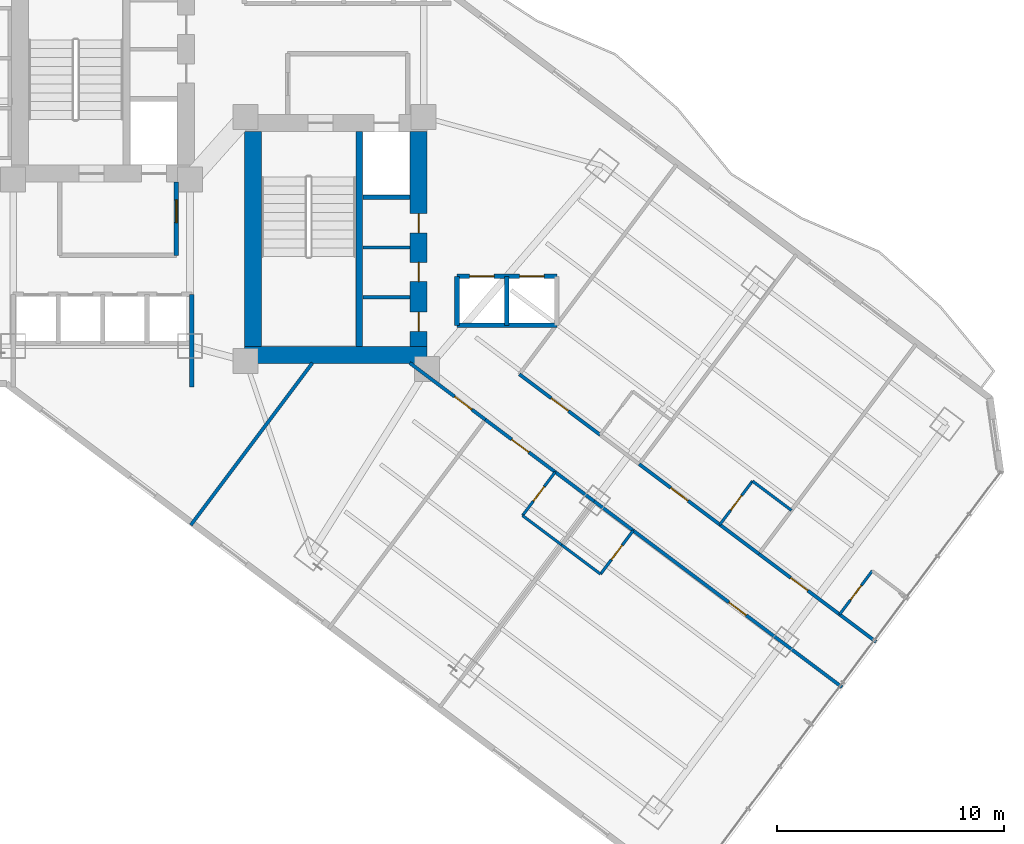
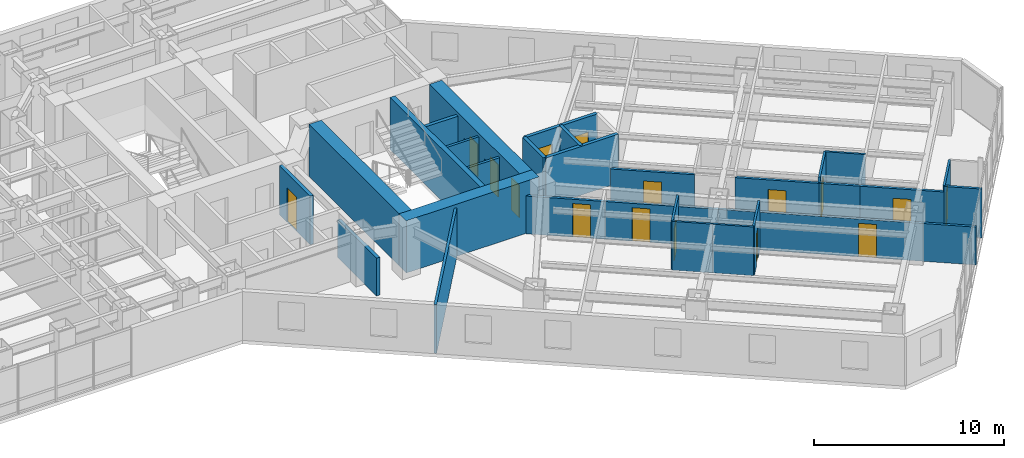
# One storey, part 24 of 37: 31 walls, 16 doors, 16 openings.
"""IFC4 building model written with IfcOpenShell, lengths in metres."""

import ifcopenshell
import ifcopenshell.guid

model = None  # the IFC model being written
_history = None  # IfcOwnerHistory: only IFC2X3 demands one
_inside = {}  # id of a spatial element -> (the spatial element, [elements in it])
_under = {}  # id of a project, library or spatial element -> (it, [spatial elements below it])
_declared = {}  # id of a project -> (the project, [libraries it declares])
_typed = {}  # id of a type object -> (the type object, [elements of that type])
_made_of = {}  # id of a material, layer set ... -> (it, [elements and type objects made of it])


def new_model(schema):
    """Start an empty IFC model of exactly this schema.

    Asked for "IFC4X3", IfcOpenShell would pick the latest addendum, in which some entities
    have other attributes; the version numbers below select the first issue.
    IFC2X3 requires an IfcOwnerHistory on every rooted entity: one is made here for all.
    """
    global model, _history
    if schema == "IFC4X3":
        model = ifcopenshell.file(schema_version=(4, 3, 0, 0))
    else:
        model = ifcopenshell.file(schema=schema)
    _inside.clear()
    _under.clear()
    _declared.clear()
    _typed.clear()
    _made_of.clear()
    _history = None
    if model.schema == "IFC2X3":
        org = make("IfcOrganization", Name="unknown")
        user = make(
            "IfcPersonAndOrganization",
            ThePerson=make("IfcPerson", FamilyName="unknown"),
            TheOrganization=org,
        )
        app = make(
            "IfcApplication",
            ApplicationDeveloper=org,
            Version="unknown",
            ApplicationFullName="unknown",
            ApplicationIdentifier="unknown",
        )
        _history = make(
            "IfcOwnerHistory",
            OwningUser=user,
            OwningApplication=app,
            ChangeAction="ADDED",
            CreationDate=0,
        )
    return model


def make(cls, **values):
    """One entity of the class cls with the attributes given. An attribute that is None is left unset."""
    return model.create_entity(
        cls, **{name: value for name, value in values.items() if value is not None}
    )


def rooted(cls, **values):
    """An entity with a GlobalId (a new one), such as an element, a storey or a relation."""
    return make(cls, GlobalId=ifcopenshell.guid.new(), OwnerHistory=_history, **values)


def si_unit(unit_type, name, prefix=None):
    """IfcSIUnit, for example si_unit("LENGTHUNIT", "METRE", prefix="MILLI")."""
    return make("IfcSIUnit", UnitType=unit_type, Prefix=prefix, Name=name)


def assignment(units):
    """IfcUnitAssignment: the units of a project."""
    return None if units is None else make("IfcUnitAssignment", Units=units)


def point(xyz):
    """IfcCartesianPoint."""
    return None if xyz is None else make("IfcCartesianPoint", Coordinates=xyz)


def direction(xyz):
    """IfcDirection."""
    return None if xyz is None else make("IfcDirection", DirectionRatios=xyz)


def frame(location, z_axis=None, x_axis=None):
    """IfcAxis2Placement3D, a coordinate frame: its origin and axes. An axis left out is left unset."""
    return make(
        "IfcAxis2Placement3D",
        Location=point(location),
        Axis=direction(z_axis),
        RefDirection=direction(x_axis),
    )


def frame_2d(location, x_axis=None):
    """IfcAxis2Placement2D, a coordinate frame in the plane: its origin and x axis."""
    return make(
        "IfcAxis2Placement2D", Location=point(location), RefDirection=direction(x_axis)
    )


def origin():
    """The frame at (0, 0, 0) with its axes left unset."""
    return frame((0.0, 0.0, 0.0))


def place(relative_to, where):
    """IfcLocalPlacement: puts the frame where relative to a parent placement (None: the world)."""
    return make(
        "IfcLocalPlacement", PlacementRelTo=relative_to, RelativePlacement=where
    )


def context(
    kind, dimensions, precision=None, world=None, true_north=None, identifier=None
):
    """IfcGeometricRepresentationContext, for example the 3D "Model" context."""
    return make(
        "IfcGeometricRepresentationContext",
        ContextIdentifier=identifier,
        ContextType=kind,
        CoordinateSpaceDimension=dimensions,
        Precision=precision,
        WorldCoordinateSystem=world,
        TrueNorth=true_north,
    )


def subcontext(parent, identifier, kind, view, scale=None):
    """IfcGeometricRepresentationSubContext, for example "Body" below "Model"."""
    return make(
        "IfcGeometricRepresentationSubContext",
        ContextIdentifier=identifier,
        ContextType=kind,
        ParentContext=parent,
        TargetScale=scale,
        TargetView=view,
    )


def project(units=None, contexts=None):
    """IfcProject with its units and contexts."""
    return rooted(
        "IfcProject",
        Name="project",
        RepresentationContexts=contexts,
        UnitsInContext=assignment(units),
    )


def spatial(cls, under=None, at=None, **own):
    """A site, building, storey or space (cls), placed at a placement, below another one or the project."""
    s = rooted(cls, ObjectPlacement=at, **own)
    if under is not None:
        _under.setdefault(under.id(), (under, []))[1].append(s)
    return s


def profile(cls, at=None, kind="AREA", **sizes):
    """A parametric profile (cls). Its sizes go by their IFC names, for example OverallWidth=200.0."""
    return make(cls, ProfileType=kind, Position=at, **sizes)


def rectangle(**sizes):
    """IfcRectangleProfileDef."""
    return profile("IfcRectangleProfileDef", **sizes)


def extrude(swept, where, along, depth):
    """IfcExtrudedAreaSolid: the profile swept, set in the frame where, extruded along a direction by depth."""
    return make(
        "IfcExtrudedAreaSolid",
        SweptArea=swept,
        Position=where,
        ExtrudedDirection=direction(along),
        Depth=depth,
    )


def shape(context_of_items, identifier, shape_type, items):
    """IfcShapeRepresentation: the items that make up one representation, for example the "Body"."""
    return make(
        "IfcShapeRepresentation",
        ContextOfItems=context_of_items,
        RepresentationIdentifier=identifier,
        RepresentationType=shape_type,
        Items=items,
    )


def material(Name=None, Category=None):
    """IfcMaterial."""
    return make("IfcMaterial", Name=Name, Category=Category)


def layer(
    of_material, thickness, ventilated=None, Name=None, Category=None, Priority=None
):
    """IfcMaterialLayer: one layer of a wall or slab, of a material (None: an air gap)."""
    return make(
        "IfcMaterialLayer",
        Material=of_material,
        LayerThickness=thickness,
        IsVentilated=ventilated,
        Name=Name,
        Category=Category,
        Priority=Priority,
    )


def layer_set(layers, Name=None):
    """IfcMaterialLayerSet."""
    return make("IfcMaterialLayerSet", MaterialLayers=layers, LayerSetName=Name)


def made_of(thing, what):
    """Note that an element or type object is made of a material, layer set ...; save() writes the relation."""
    if what is not None:
        _made_of.setdefault(what.id(), (what, []))[1].append(thing)
    return thing


def type_object(cls, material=None, **own):
    """A type object (cls), such as IfcWallType, which elements share."""
    return made_of(rooted(cls, **own), material)


def element(
    cls,
    number,
    at=None,
    inside=None,
    cuts=None,
    type_object=None,
    material=None,
    context=None,
    identifier="Body",
    shape_type=None,
    held_by="IfcProductDefinitionShape",
    body=None,
    shapes=None,
    **own,
):
    """One element of the class cls, such as IfcWall. Its Tag is "e" and its number.

    at: its placement. inside: the storey or other place that contains it. cuts: it is an
    opening in that element (IfcRelVoidsElement). A single representation is given by context,
    identifier, shape_type and body (its items); several are given by shapes. held_by: the class
    of the entity that holds the representations. save() writes the other relations.
    """
    e = rooted(cls, Tag="e%d" % number, ObjectPlacement=at, **own)
    if body is not None:
        shapes = [shape(context, identifier, shape_type, body)]
    if shapes is not None:
        e.Representation = make(held_by, Representations=shapes)
    if inside is not None:
        _inside.setdefault(inside.id(), (inside, []))[1].append(e)
    if cuts is not None:
        rooted(
            "IfcRelVoidsElement", RelatingBuildingElement=cuts, RelatedOpeningElement=e
        )
    if type_object is not None:
        _typed.setdefault(type_object.id(), (type_object, []))[1].append(e)
    return made_of(e, material)


def fill(opening, filler):
    """IfcRelFillsElement: the door or window that sits in an opening."""
    return rooted(
        "IfcRelFillsElement",
        RelatingOpeningElement=opening,
        RelatedBuildingElement=filler,
    )


def aggregate(whole, parts):
    """IfcRelAggregates: a whole, such as a stair, and the parts it consists of."""
    return rooted("IfcRelAggregates", RelatingObject=whole, RelatedObjects=parts)


def save(model, path):
    """Write the relations noted so far, then the file.

    IfcRelAggregates (storeys below a building ...), IfcRelContainedInSpatialStructure (elements
    in a storey), IfcRelDefinesByType, IfcRelAssociatesMaterial and IfcRelDeclares: one each for
    every whole, place, type object, material and project.
    """
    for whole, parts in _under.values():
        aggregate(whole, parts)
    for where, things in _inside.values():
        rooted(
            "IfcRelContainedInSpatialStructure",
            RelatedElements=things,
            RelatingStructure=where,
        )
    for kind, things in _typed.values():
        rooted("IfcRelDefinesByType", RelatedObjects=things, RelatingType=kind)
    for what, things in _made_of.values():
        rooted("IfcRelAssociatesMaterial", RelatedObjects=things, RelatingMaterial=what)
    for by, libraries in _declared.values():
        rooted("IfcRelDeclares", RelatingContext=by, RelatedDefinitions=libraries)
    model.write(path)


model = new_model("IFC4")

# Units and contexts
model_context = context("Model", 3, precision=1e-05, world=origin(), true_north=direction((0.0, 1.0)))
body_context = subcontext(model_context, "Body", "Model", "MODEL_VIEW")
ifc_project = project(units=[si_unit("LENGTHUNIT", "METRE"), si_unit("AREAUNIT", "SQUARE_METRE"), si_unit("VOLUMEUNIT", "CUBIC_METRE"), si_unit("PLANEANGLEUNIT", "RADIAN"), si_unit("MASSUNIT", "GRAM", prefix="KILO")], contexts=[model_context])

# Site, building, storey
site_placement = place(None, origin())
site = spatial("IfcSite", under=ifc_project, at=site_placement, CompositionType="ELEMENT")
building_placement = place(site_placement, origin())
building = spatial("IfcBuilding", under=site, at=building_placement, Name="Hatsunagi Terrace Concourse", CompositionType="ELEMENT")
storey_placement = place(building_placement, frame((0.0, 0.0, 39.949951171875)))
storey = spatial("IfcBuildingStorey", under=building, at=storey_placement, Name="L09", CompositionType="ELEMENT", Elevation=39.949951171875)

# Walls
ifc_material_1 = material(Name="Concrete Fc60", Category="concrete")
ifc_layer_1 = layer(ifc_material_1, 0.75)
ifc_layer_set_1 = layer_set([ifc_layer_1], Name="CoreShearWall_Fc60_750")
wall_type_1 = type_object("IfcWallType", Name="CoreShearWall_Fc60_750", PredefinedType="SHEAR", material=ifc_layer_set_1)
wall_1_placement = place(storey_placement, frame((35.739990234375, 24.81494140625, 0.0), z_axis=(0.0, 0.0, 1.0), x_axis=(1.0, 0.0, 0.0)))
element("IfcWall", 1, at=wall_1_placement, inside=storey, type_object=wall_type_1, Name="Core B Shear Wall S L09", PredefinedType="SHEAR", context=body_context, shape_type="SweptSolid", body=[
    extrude(rectangle(XDim=8.06005859375, YDim=0.75, at=frame_2d((4.030029296875, 0.0))), origin(), (0.0, 0.0, 1.0), 3.35009765625),
])
wall_2_placement = place(storey_placement, frame((36.114990234375, 25.18994140625, 0.0), z_axis=(0.0, 0.0, 1.0), x_axis=(0.0, 1.0, 0.0)))
element("IfcWall", 2, at=wall_2_placement, inside=storey, type_object=wall_type_1, Name="Core B Shear Wall W L09", PredefinedType="SHEAR", context=body_context, shape_type="SweptSolid", body=[
    extrude(rectangle(XDim=9.47998046875, YDim=0.75, at=frame_2d((4.739990234375, 0.0))), origin(), (0.0, 0.0, 1.0), 3.35009765625),
])

# Wall, openings, doors
wall_3_placement = place(storey_placement, frame((43.425048828125, 25.18994140625, 0.0), z_axis=(0.0, 0.0, 1.0), x_axis=(0.0, 1.0, 0.0)))
wall_3 = element("IfcWall", 3, at=wall_3_placement, inside=storey, type_object=wall_type_1, Name="Core B Shear Wall E L09", PredefinedType="SHEAR", context=body_context, shape_type="SweptSolid", body=[
    extrude(rectangle(XDim=9.47998046875, YDim=0.75, at=frame_2d((4.739990234375, 0.0))), origin(), (0.0, 0.0, 1.0), 3.35009765625),
])
opening_1_placement = place(wall_3_placement, frame((0.659912109375, 0.0, 0.0)))
opening_1 = element("IfcOpeningElement", 4, at=opening_1_placement, cuts=wall_3, Name="Opening DR-085", PredefinedType="OPENING", context=body_context, shape_type="SweptSolid", body=[
    extrude(rectangle(XDim=0.85009765625, YDim=2.080078125, at=frame_2d((0.425048828125, 1.0400390625))), frame((0.0, 0.385009765625, 0.0), z_axis=(0.0, -1.0, 0.0), x_axis=(1.0, 0.0, 0.0)), (0.0, 0.0, 1.0), 0.77001953125),
])
opening_2_placement = place(wall_3_placement, frame((2.860107421875, 0.0, 0.0)))
opening_2 = element("IfcOpeningElement", 5, at=opening_2_placement, cuts=wall_3, Name="Opening DR-085", PredefinedType="OPENING", context=body_context, shape_type="SweptSolid", body=[
    extrude(rectangle(XDim=0.85009765625, YDim=2.080078125, at=frame_2d((0.425048828125, 1.0400390625))), frame((0.0, 0.385009765625, 0.0), z_axis=(0.0, -1.0, 0.0), x_axis=(1.0, 0.0, 0.0)), (0.0, 0.0, 1.0), 0.77001953125),
])
opening_3_placement = place(wall_3_placement, frame((5.010009765625, 0.0, 0.0)))
opening_3 = element("IfcOpeningElement", 6, at=opening_3_placement, cuts=wall_3, Name="Opening DR-085", PredefinedType="OPENING", context=body_context, shape_type="SweptSolid", body=[
    extrude(rectangle(XDim=0.85009765625, YDim=2.080078125, at=frame_2d((0.425048828125, 1.0400390625))), frame((0.0, 0.385009765625, 0.0), z_axis=(0.0, -1.0, 0.0), x_axis=(1.0, 0.0, 0.0)), (0.0, 0.0, 1.0), 0.77001953125),
])
ifc_material_2 = material(Name="Painted steel", Category="steel")
door_type_1 = type_object("IfcDoorType", Name="RiserAccessDoor_EI60_850", OperationType="NOTDEFINED", PredefinedType="DOOR", material=ifc_material_2)
door_1_placement = place(opening_1_placement, origin())
door_1 = element("IfcDoor", 7, at=door_1_placement, inside=storey, type_object=door_type_1, Name="Core B Riser Door L09-1", OperationType="SINGLE_SWING_RIGHT", OverallHeight=2.080078125, OverallWidth=0.85009765625, PredefinedType="DOOR", context=body_context, shape_type="SweptSolid", body=[
    extrude(rectangle(XDim=0.85009765625, YDim=2.080078125, at=frame_2d((0.425048828125, 1.0400390625))), frame((0.0, 0.02490234375, 0.0), z_axis=(0.0, -1.0, 0.0), x_axis=(1.0, 0.0, 0.0)), (0.0, 0.0, 1.0), 0.050048828125),
])
fill(opening_1, door_1)
door_2_placement = place(opening_2_placement, origin())
door_2 = element("IfcDoor", 8, at=door_2_placement, inside=storey, type_object=door_type_1, Name="Core B Riser Door L09-2", OperationType="SINGLE_SWING_RIGHT", OverallHeight=2.080078125, OverallWidth=0.85009765625, PredefinedType="DOOR", context=body_context, shape_type="SweptSolid", body=[
    extrude(rectangle(XDim=0.85009765625, YDim=2.080078125, at=frame_2d((0.425048828125, 1.0400390625))), frame((0.0, 0.02490234375, 0.0), z_axis=(0.0, -1.0, 0.0), x_axis=(1.0, 0.0, 0.0)), (0.0, 0.0, 1.0), 0.050048828125),
])
fill(opening_2, door_2)
door_3_placement = place(opening_3_placement, origin())
door_3 = element("IfcDoor", 9, at=door_3_placement, inside=storey, type_object=door_type_1, Name="Core B Riser Door L09-3", OperationType="SINGLE_SWING_RIGHT", OverallHeight=2.080078125, OverallWidth=0.85009765625, PredefinedType="DOOR", context=body_context, shape_type="SweptSolid", body=[
    extrude(rectangle(XDim=0.85009765625, YDim=2.080078125, at=frame_2d((0.425048828125, 1.0400390625))), frame((0.0, 0.02490234375, 0.0), z_axis=(0.0, -1.0, 0.0), x_axis=(1.0, 0.0, 0.0)), (0.0, 0.0, 1.0), 0.050048828125),
])
fill(opening_3, door_3)

# Wall
ifc_material_3 = material(Name="Concrete Fc48", Category="concrete")
ifc_layer_2 = layer(ifc_material_3, 0.300048828125)
ifc_layer_set_2 = layer_set([ifc_layer_2], Name="CoreStairDivider_Fc48_300")
wall_type_2 = type_object("IfcWallType", Name="CoreStairDivider_Fc48_300", PredefinedType="SHEAR", material=ifc_layer_set_2)
wall_4_placement = place(storey_placement, frame((40.81005859375, 25.18994140625, 0.0), z_axis=(0.0, 0.0, 1.0), x_axis=(0.0, 1.0, 0.0)))
element("IfcWall", 10, at=wall_4_placement, inside=storey, type_object=wall_type_2, Name="Core B Shear Wall D L09", PredefinedType="SHEAR", context=body_context, shape_type="SweptSolid", body=[
    extrude(rectangle(XDim=9.47998046875, YDim=0.300048828125, at=frame_2d((4.739990234375, 0.0))), origin(), (0.0, 0.0, 1.0), 3.35009765625),
])

# Wall, opening, door
ifc_material_4 = material(Name="Acoustic mineral board", Category="gypsum")
ifc_layer_3 = layer(ifc_material_4, 0.1201171875)
ifc_layer_set_3 = layer_set([ifc_layer_3], Name="PartitionWall_EI30_120")
wall_type_3 = type_object("IfcWallType", Name="PartitionWall_EI30_120", PredefinedType="PARTITIONING", material=ifc_layer_set_3)
wall_5_placement = place(storey_placement, frame((56.7099609375, 17.330078125, 0.0), z_axis=(0.0, 0.0, 1.0), x_axis=(0.6, 0.8, 0.0)))
wall_5 = element("IfcWall", 11, at=wall_5_placement, inside=storey, type_object=wall_type_3, Name="Interior Partition IW-L09-076", PredefinedType="PARTITIONING", context=body_context, shape_type="SweptSolid", body=[
    extrude(rectangle(XDim=2.39990234375, YDim=0.1201171875, at=frame_2d((1.199951171875, 0.0))), origin(), (0.0, 0.0, 1.0), 3.130126953125),
])
opening_4_placement = place(wall_5_placement, frame((0.800048828125, 0.0, 0.0)))
opening_4 = element("IfcOpeningElement", 12, at=opening_4_placement, cuts=wall_5, Name="Opening DR-080", PredefinedType="OPENING", context=body_context, shape_type="SweptSolid", body=[
    extrude(rectangle(XDim=0.800048828125, YDim=2.06005859375, at=frame_2d((0.39990234375, 1.030029296875))), frame((0.0, 0.070068359375, 0.0), z_axis=(0.0, -1.0, 0.0), x_axis=(1.0, 0.0, 0.0)), (0.0, 0.0, 1.0), 0.14013671875),
])
ifc_material_5 = material(Name="Hardwood timber", Category="wood")
door_type_2 = type_object("IfcDoorType", Name="BathroomDoor_800", OperationType="NOTDEFINED", PredefinedType="DOOR", material=ifc_material_5)
door_4_placement = place(opening_4_placement, origin())
door_4 = element("IfcDoor", 13, at=door_4_placement, inside=storey, type_object=door_type_2, Name="En-Suite Bathroom L09-SENE2 Door", OperationType="SINGLE_SWING_RIGHT", OverallHeight=2.06005859375, OverallWidth=0.800048828125, PredefinedType="DOOR", context=body_context, shape_type="SweptSolid", body=[
    extrude(rectangle(XDim=0.800048828125, YDim=2.06005859375, at=frame_2d((0.39990234375, 1.030029296875))), frame((0.0, 0.02490234375, 0.0), z_axis=(0.0, -1.0, 0.0), x_axis=(1.0, 0.0, 0.0)), (0.0, 0.0, 1.0), 0.050048828125),
])
fill(opening_4, door_4)

# Wall
wall_6_placement = place(storey_placement, frame((58.14990234375, 19.25, 0.0), z_axis=(0.0, 0.0, 1.0), x_axis=(0.800027249606, -0.599963665473, 0.0)))
element("IfcWall", 14, at=wall_6_placement, inside=storey, type_object=wall_type_3, Name="Interior Partition IW-L09-077", PredefinedType="PARTITIONING", context=body_context, shape_type="SweptSolid", body=[
    extrude(rectangle(XDim=2.150146484375, YDim=0.1201171875, at=frame_2d((1.0751953125, 0.0))), origin(), (0.0, 0.0, 1.0), 3.130126953125),
])

# Wall, opening, door
wall_7_placement = place(storey_placement, frame((61.989990234375, 13.3701171875, 0.0), z_axis=(0.0, 0.0, 1.0), x_axis=(0.6, 0.8, 0.0)))
wall_7 = element("IfcWall", 15, at=wall_7_placement, inside=storey, type_object=wall_type_3, Name="Interior Partition IW-L09-081", PredefinedType="PARTITIONING", context=body_context, shape_type="SweptSolid", body=[
    extrude(rectangle(XDim=2.39990234375, YDim=0.1201171875, at=frame_2d((1.199951171875, 0.0))), origin(), (0.0, 0.0, 1.0), 3.130126953125),
])
opening_5_placement = place(wall_7_placement, frame((0.800048828125, 0.0, 0.0)))
opening_5 = element("IfcOpeningElement", 16, at=opening_5_placement, cuts=wall_7, Name="Opening DR-080", PredefinedType="OPENING", context=body_context, shape_type="SweptSolid", body=[
    extrude(rectangle(XDim=0.800048828125, YDim=2.06005859375, at=frame_2d((0.39990234375, 1.030029296875))), frame((0.0, 0.070068359375, 0.0), z_axis=(0.0, -1.0, 0.0), x_axis=(1.0, 0.0, 0.0)), (0.0, 0.0, 1.0), 0.14013671875),
])
door_5_placement = place(opening_5_placement, origin())
door_5 = element("IfcDoor", 17, at=door_5_placement, inside=storey, type_object=door_type_2, Name="En-Suite Bathroom L09-SENE3 Door", OperationType="SINGLE_SWING_RIGHT", OverallHeight=2.06005859375, OverallWidth=0.800048828125, PredefinedType="DOOR", context=body_context, shape_type="SweptSolid", body=[
    extrude(rectangle(XDim=0.800048828125, YDim=2.06005859375, at=frame_2d((0.39990234375, 1.030029296875))), frame((0.0, 0.02490234375, 0.0), z_axis=(0.0, -1.0, 0.0), x_axis=(1.0, 0.0, 0.0)), (0.0, 0.0, 1.0), 0.050048828125),
])
fill(opening_5, door_5)

wall_8_placement = place(storey_placement, frame((48.010009765625, 17.72998046875, 0.0), z_axis=(0.0, 0.0, 1.0), x_axis=(0.6, 0.8, 0.0)))
wall_8 = element("IfcWall", 18, at=wall_8_placement, inside=storey, type_object=wall_type_3, Name="Interior Partition IW-L09-085", PredefinedType="PARTITIONING", context=body_context, shape_type="SweptSolid", body=[
    extrude(rectangle(XDim=2.39990234375, YDim=0.1201171875, at=frame_2d((1.199951171875, 0.0))), origin(), (0.0, 0.0, 1.0), 3.130126953125),
])
opening_6_placement = place(wall_8_placement, frame((0.800048828125, 0.0, 0.0)))
opening_6 = element("IfcOpeningElement", 19, at=opening_6_placement, cuts=wall_8, Name="Opening DR-080", PredefinedType="OPENING", context=body_context, shape_type="SweptSolid", body=[
    extrude(rectangle(XDim=0.800048828125, YDim=2.06005859375, at=frame_2d((0.39990234375, 1.030029296875))), frame((0.0, 0.070068359375, 0.0), z_axis=(0.0, -1.0, 0.0), x_axis=(1.0, 0.0, 0.0)), (0.0, 0.0, 1.0), 0.14013671875),
])
door_6_placement = place(opening_6_placement, origin())
door_6 = element("IfcDoor", 20, at=door_6_placement, inside=storey, type_object=door_type_2, Name="En-Suite Bathroom L09-SESW1 Door", OperationType="SINGLE_SWING_LEFT", OverallHeight=2.06005859375, OverallWidth=0.800048828125, PredefinedType="DOOR", context=body_context, shape_type="SweptSolid", body=[
    extrude(rectangle(XDim=0.800048828125, YDim=2.06005859375, at=frame_2d((0.39990234375, 1.030029296875))), frame((0.0, 0.02490234375, 0.0), z_axis=(0.0, -1.0, 0.0), x_axis=(1.0, 0.0, 0.0)), (0.0, 0.0, 1.0), 0.050048828125),
])
fill(opening_6, door_6)

# Wall
wall_9_placement = place(storey_placement, frame((48.010009765625, 17.72998046875, 0.0), z_axis=(0.0, 0.0, 1.0), x_axis=(0.79998637334, -0.60001816845, 0.0)))
element("IfcWall", 21, at=wall_9_placement, inside=storey, type_object=wall_type_3, Name="Interior Partition IW-L09-086", PredefinedType="PARTITIONING", context=body_context, shape_type="SweptSolid", body=[
    extrude(rectangle(XDim=2.14990234375, YDim=0.1201171875, at=frame_2d((1.074951171875, 0.0))), origin(), (0.0, 0.0, 1.0), 3.130126953125),
])

# Wall, opening, door
wall_10_placement = place(storey_placement, frame((51.449951171875, 15.14990234375, 0.0), z_axis=(0.0, 0.0, 1.0), x_axis=(0.599951172744, 0.800036618114, 0.0)))
wall_10 = element("IfcWall", 22, at=wall_10_placement, inside=storey, type_object=wall_type_3, Name="Interior Partition IW-L09-090", PredefinedType="PARTITIONING", context=body_context, shape_type="SweptSolid", body=[
    extrude(rectangle(XDim=2.400146484375, YDim=0.1201171875, at=frame_2d((1.2001953125, 0.0))), origin(), (0.0, 0.0, 1.0), 3.130126953125),
])
opening_7_placement = place(wall_10_placement, frame((0.800048828125, 0.0, 0.0)))
opening_7 = element("IfcOpeningElement", 23, at=opening_7_placement, cuts=wall_10, Name="Opening DR-080", PredefinedType="OPENING", context=body_context, shape_type="SweptSolid", body=[
    extrude(rectangle(XDim=0.800048828125, YDim=2.06005859375, at=frame_2d((0.39990234375, 1.030029296875))), frame((0.0, 0.070068359375, 0.0), z_axis=(0.0, -1.0, 0.0), x_axis=(1.0, 0.0, 0.0)), (0.0, 0.0, 1.0), 0.14013671875),
])
door_7_placement = place(opening_7_placement, origin())
door_7 = element("IfcDoor", 24, at=door_7_placement, inside=storey, type_object=door_type_2, Name="En-Suite Bathroom L09-SESW2 Door", OperationType="SINGLE_SWING_RIGHT", OverallHeight=2.06005859375, OverallWidth=0.800048828125, PredefinedType="DOOR", context=body_context, shape_type="SweptSolid", body=[
    extrude(rectangle(XDim=0.800048828125, YDim=2.06005859375, at=frame_2d((0.39990234375, 1.030029296875))), frame((0.0, 0.02490234375, 0.0), z_axis=(0.0, -1.0, 0.0), x_axis=(1.0, 0.0, 0.0)), (0.0, 0.0, 1.0), 0.050048828125),
])
fill(opening_7, door_7)

# Walls
wall_11_placement = place(storey_placement, frame((49.72998046875, 16.43994140625, 0.0), z_axis=(0.0, 0.0, 1.0), x_axis=(0.79998637334, -0.60001816845, 0.0)))
element("IfcWall", 25, at=wall_11_placement, inside=storey, type_object=wall_type_3, Name="Interior Partition IW-L09-091", PredefinedType="PARTITIONING", context=body_context, shape_type="SweptSolid", body=[
    extrude(rectangle(XDim=2.14990234375, YDim=0.1201171875, at=frame_2d((1.074951171875, 0.0))), origin(), (0.0, 0.0, 1.0), 3.130126953125),
])
ifc_material_6 = material(Name="Acoustic mineral board", Category="gypsum")
ifc_layer_4 = layer(ifc_material_6, 0.14990234375)
ifc_layer_set_4 = layer_set([ifc_layer_4], Name="PartitionWall_EI60_150")
wall_type_4 = type_object("IfcWallType", Name="PartitionWall_EI60_150", PredefinedType="PARTITIONING", material=ifc_layer_set_4)
for number, where, z_axis, x_axis, name in (
    (26, (40.969970703125, 27.35009765625, 0.0), (0.0, 0.0, 1.0), (1.0, 0.0, 0.0), "Interior Partition IW-L09-005"),
    (27, (40.969970703125, 29.550048828125, 0.0), (0.0, 0.0, 1.0), (1.0, 0.0, 0.0), "Interior Partition IW-L09-006"),
):
    element("IfcWall", number, at=place(storey_placement, frame(where, z_axis=z_axis, x_axis=x_axis)), inside=storey, type_object=wall_type_4, Name=name, PredefinedType="PARTITIONING", context=body_context, shape_type="SweptSolid", body=[
        extrude(rectangle(XDim=2.080078125, YDim=0.14990234375, at=frame_2d((1.0400390625, 0.0))), origin(), (0.0, 0.0, 1.0), 3.130126953125),
    ])

# Wall, opening, door
wall_12_placement = place(storey_placement, frame((43.037109375, 24.4599609375, 0.0), z_axis=(0.0, 0.0, 1.0), x_axis=(0.799971872363, -0.600037501685, 0.0)))
wall_12 = element("IfcWall", 28, at=wall_12_placement, inside=storey, type_object=wall_type_4, Name="Interior Partition IW-L09-043", PredefinedType="PARTITIONING", context=body_context, shape_type="SweptSolid", body=[
    extrude(rectangle(XDim=4.16650390625, YDim=0.14990234375, at=frame_2d((2.083251953125, 0.0))), origin(), (0.0, 0.0, 1.0), 2.425048828125),
])
opening_8_placement = place(wall_12_placement, frame((2.468017578125, 0.0, 0.0)))
opening_8 = element("IfcOpeningElement", 29, at=opening_8_placement, cuts=wall_12, Name="Opening DR-095", PredefinedType="OPENING", context=body_context, shape_type="SweptSolid", body=[
    extrude(rectangle(XDim=0.949951171875, YDim=2.14990234375, at=frame_2d((0.47509765625, 1.074951171875))), frame((0.0, 0.0849609375, 0.0), z_axis=(0.0, -1.0, 0.0), x_axis=(1.0, 0.0, 0.0)), (0.0, 0.0, 1.0), 0.169921875),
])
ifc_material_7 = material(Name="Hardwood timber", Category="wood")
door_type_3 = type_object("IfcDoorType", Name="InteriorSuiteDoor_EI30_950", OperationType="NOTDEFINED", PredefinedType="DOOR", material=ifc_material_7)
door_8_placement = place(opening_8_placement, origin())
door_8 = element("IfcDoor", 30, at=door_8_placement, inside=storey, type_object=door_type_3, Name="Meeting Room L09-HMTG Door", OperationType="SINGLE_SWING_RIGHT", OverallHeight=2.14990234375, OverallWidth=0.949951171875, PredefinedType="DOOR", context=body_context, shape_type="SweptSolid", body=[
    extrude(rectangle(XDim=0.949951171875, YDim=2.14990234375, at=frame_2d((0.47509765625, 1.074951171875))), frame((0.0, 0.02490234375, 0.0), z_axis=(0.0, -1.0, 0.0), x_axis=(1.0, 0.0, 0.0)), (0.0, 0.0, 1.0), 0.050048828125),
])
fill(opening_8, door_8)

# Wall
wall_13_placement = place(storey_placement, frame((33.384033203125, 17.31201171875, 0.0), z_axis=(0.0, 0.0, 1.0), x_axis=(0.600008743659, 0.799993442181, 0.0)))
element("IfcWall", 31, at=wall_13_placement, inside=storey, type_object=wall_type_4, Name="Interior Partition IW-L09-044", PredefinedType="PARTITIONING", context=body_context, shape_type="SweptSolid", body=[
    extrude(rectangle(XDim=8.93505859375, YDim=0.14990234375, at=frame_2d((4.467529296875, 0.0))), origin(), (0.0, 0.0, 1.0), 3.130126953125),
])

# Wall, opening, door
wall_14_placement = place(storey_placement, frame((47.8701171875, 23.9599609375, 0.0), z_axis=(0.0, 0.0, 1.0), x_axis=(0.799993416095, -0.600008778439, 0.0)))
wall_14 = element("IfcWall", 32, at=wall_14_placement, inside=storey, type_object=wall_type_4, Name="Interior Partition IW-L09-068", PredefinedType="PARTITIONING", context=body_context, shape_type="SweptSolid", body=[
    extrude(rectangle(XDim=4.44970703125, YDim=0.14990234375, at=frame_2d((2.224853515625, 0.0))), origin(), (0.0, 0.0, 1.0), 2.775146484375),
])
opening_9_placement = place(wall_14_placement, frame((1.75, 0.0, 0.0)))
opening_9 = element("IfcOpeningElement", 33, at=opening_9_placement, cuts=wall_14, Name="Opening DR-095", PredefinedType="OPENING", context=body_context, shape_type="SweptSolid", body=[
    extrude(rectangle(XDim=0.949951171875, YDim=2.14990234375, at=frame_2d((0.47509765625, 1.074951171875))), frame((0.0, 0.0849609375, 0.0), z_axis=(0.0, -1.0, 0.0), x_axis=(1.0, 0.0, 0.0)), (0.0, 0.0, 1.0), 0.169921875),
])
door_9_placement = place(opening_9_placement, origin())
door_9 = element("IfcDoor", 34, at=door_9_placement, inside=storey, type_object=door_type_3, Name="Hotel Guest Room L09-SENE1 Door", OperationType="SINGLE_SWING_LEFT", OverallHeight=2.14990234375, OverallWidth=0.949951171875, PredefinedType="DOOR", context=body_context, shape_type="SweptSolid", body=[
    extrude(rectangle(XDim=0.949951171875, YDim=2.14990234375, at=frame_2d((0.47509765625, 1.074951171875))), frame((0.0, 0.02490234375, 0.0), z_axis=(0.0, -1.0, 0.0), x_axis=(1.0, 0.0, 0.0)), (0.0, 0.0, 1.0), 0.050048828125),
])
fill(opening_9, door_9)

wall_15_placement = place(storey_placement, frame((53.14990234375, 20.0, 0.0), z_axis=(0.0, 0.0, 1.0), x_axis=(0.800013166942, -0.599982443676, 0.0)))
wall_15 = element("IfcWall", 35, at=wall_15_placement, inside=storey, type_object=wall_type_4, Name="Interior Partition IW-L09-074", PredefinedType="PARTITIONING", context=body_context, shape_type="SweptSolid", body=[
    extrude(rectangle(XDim=4.449951171875, YDim=0.14990234375, at=frame_2d((2.22509765625, 0.0))), origin(), (0.0, 0.0, 1.0), 2.775146484375),
])
opening_10_placement = place(wall_15_placement, frame((1.75, 0.0, 0.0)))
opening_10 = element("IfcOpeningElement", 36, at=opening_10_placement, cuts=wall_15, Name="Opening DR-095", PredefinedType="OPENING", context=body_context, shape_type="SweptSolid", body=[
    extrude(rectangle(XDim=0.949951171875, YDim=2.14990234375, at=frame_2d((0.47509765625, 1.074951171875))), frame((0.0, 0.0849609375, 0.0), z_axis=(0.0, -1.0, 0.0), x_axis=(1.0, 0.0, 0.0)), (0.0, 0.0, 1.0), 0.169921875),
])
door_10_placement = place(opening_10_placement, origin())
door_10 = element("IfcDoor", 37, at=door_10_placement, inside=storey, type_object=door_type_3, Name="Hotel Guest Room L09-SENE2 Door", OperationType="SINGLE_SWING_LEFT", OverallHeight=2.14990234375, OverallWidth=0.949951171875, PredefinedType="DOOR", context=body_context, shape_type="SweptSolid", body=[
    extrude(rectangle(XDim=0.949951171875, YDim=2.14990234375, at=frame_2d((0.47509765625, 1.074951171875))), frame((0.0, 0.02490234375, 0.0), z_axis=(0.0, -1.0, 0.0), x_axis=(1.0, 0.0, 0.0)), (0.0, 0.0, 1.0), 0.050048828125),
])
fill(opening_10, door_10)

# Wall
wall_16_placement = place(storey_placement, frame((56.7099609375, 17.330078125, 0.0), z_axis=(0.0, 0.0, 1.0), x_axis=(0.79998637334, -0.60001816845, 0.0)))
element("IfcWall", 38, at=wall_16_placement, inside=storey, type_object=wall_type_4, Name="Interior Partition IW-L09-075", PredefinedType="PARTITIONING", context=body_context, shape_type="SweptSolid", body=[
    extrude(rectangle(XDim=2.14990234375, YDim=0.14990234375, at=frame_2d((1.074951171875, 0.0))), origin(), (0.0, 0.0, 1.0), 2.775146484375),
])

# Wall, opening, door
wall_17_placement = place(storey_placement, frame((58.429931640625, 16.0400390625, 0.0), z_axis=(0.0, 0.0, 1.0), x_axis=(0.800013166942, -0.599982443676, 0.0)))
wall_17 = element("IfcWall", 39, at=wall_17_placement, inside=storey, type_object=wall_type_4, Name="Interior Partition IW-L09-079", PredefinedType="PARTITIONING", context=body_context, shape_type="SweptSolid", body=[
    extrude(rectangle(XDim=4.449951171875, YDim=0.14990234375, at=frame_2d((2.22509765625, 0.0))), origin(), (0.0, 0.0, 1.0), 2.775146484375),
])
opening_11_placement = place(wall_17_placement, frame((1.75, 0.0, 0.0)))
opening_11 = element("IfcOpeningElement", 40, at=opening_11_placement, cuts=wall_17, Name="Opening DR-095", PredefinedType="OPENING", context=body_context, shape_type="SweptSolid", body=[
    extrude(rectangle(XDim=0.949951171875, YDim=2.14990234375, at=frame_2d((0.47509765625, 1.074951171875))), frame((0.0, 0.0849609375, 0.0), z_axis=(0.0, -1.0, 0.0), x_axis=(1.0, 0.0, 0.0)), (0.0, 0.0, 1.0), 0.169921875),
])
door_11_placement = place(opening_11_placement, origin())
door_11 = element("IfcDoor", 41, at=door_11_placement, inside=storey, type_object=door_type_3, Name="Hotel Guest Room L09-SENE3 Door", OperationType="SINGLE_SWING_LEFT", OverallHeight=2.14990234375, OverallWidth=0.949951171875, PredefinedType="DOOR", context=body_context, shape_type="SweptSolid", body=[
    extrude(rectangle(XDim=0.949951171875, YDim=2.14990234375, at=frame_2d((0.47509765625, 1.074951171875))), frame((0.0, 0.02490234375, 0.0), z_axis=(0.0, -1.0, 0.0), x_axis=(1.0, 0.0, 0.0)), (0.0, 0.0, 1.0), 0.050048828125),
])
fill(opening_11, door_11)

# Wall
wall_18_placement = place(storey_placement, frame((61.989990234375, 13.3701171875, 0.0), z_axis=(0.0, 0.0, 1.0), x_axis=(0.79997084737, -0.600038868206, 0.0)))
element("IfcWall", 42, at=wall_18_placement, inside=storey, type_object=wall_type_4, Name="Interior Partition IW-L09-080", PredefinedType="PARTITIONING", context=body_context, shape_type="SweptSolid", body=[
    extrude(rectangle(XDim=2.010009765625, YDim=0.14990234375, at=frame_2d((1.0048828125, 0.0))), origin(), (0.0, 0.0, 1.0), 3.130126953125),
])

# Wall, opening, door
wall_19_placement = place(storey_placement, frame((46.3701171875, 21.9599609375, 0.0), z_axis=(0.0, 0.0, 1.0), x_axis=(0.799977170108, -0.600030438649, 0.0)))
wall_19 = element("IfcWall", 43, at=wall_19_placement, inside=storey, type_object=wall_type_4, Name="Interior Partition IW-L09-083", PredefinedType="PARTITIONING", context=body_context, shape_type="SweptSolid", body=[
    extrude(rectangle(XDim=3.849853515625, YDim=0.14990234375, at=frame_2d((1.9248046875, 0.0))), origin(), (0.0, 0.0, 1.0), 2.425048828125),
])
opening_12_placement = place(wall_19_placement, frame((1.449951171875, 0.0, 0.0)))
opening_12 = element("IfcOpeningElement", 44, at=opening_12_placement, cuts=wall_19, Name="Opening DR-095", PredefinedType="OPENING", context=body_context, shape_type="SweptSolid", body=[
    extrude(rectangle(XDim=0.949951171875, YDim=2.14990234375, at=frame_2d((0.47509765625, 1.074951171875))), frame((0.0, 0.0849609375, 0.0), z_axis=(0.0, -1.0, 0.0), x_axis=(1.0, 0.0, 0.0)), (0.0, 0.0, 1.0), 0.169921875),
])
door_12_placement = place(opening_12_placement, origin())
door_12 = element("IfcDoor", 45, at=door_12_placement, inside=storey, type_object=door_type_3, Name="Hotel Guest Room L09-SESW1 Door", OperationType="SINGLE_SWING_RIGHT", OverallHeight=2.14990234375, OverallWidth=0.949951171875, PredefinedType="DOOR", context=body_context, shape_type="SweptSolid", body=[
    extrude(rectangle(XDim=0.949951171875, YDim=2.14990234375, at=frame_2d((0.47509765625, 1.074951171875))), frame((0.0, 0.02490234375, 0.0), z_axis=(0.0, -1.0, 0.0), x_axis=(1.0, 0.0, 0.0)), (0.0, 0.0, 1.0), 0.050048828125),
])
fill(opening_12, door_12)

# Walls
for number, where, z_axis, x_axis, name in (
    (46, (49.449951171875, 19.64990234375, 0.0), (0.0, 0.0, 1.0), (0.800040880289, -0.59994548908, 0.0), "Interior Partition IW-L09-084"),
    (47, (51.169921875, 18.360107421875, 0.0), (0.0, 0.0, 1.0), (0.79998637334, -0.60001816845, 0.0), "Interior Partition IW-L09-088"),
):
    element("IfcWall", number, at=place(storey_placement, frame(where, z_axis=z_axis, x_axis=x_axis)), inside=storey, type_object=wall_type_4, Name=name, PredefinedType="PARTITIONING", context=body_context, shape_type="SweptSolid", body=[
        extrude(rectangle(XDim=2.14990234375, YDim=0.14990234375, at=frame_2d((1.074951171875, 0.0))), origin(), (0.0, 0.0, 1.0), 2.425048828125),
    ])

# Wall, opening, door
wall_20_placement = place(storey_placement, frame((52.889892578125, 17.070068359375, 0.0), z_axis=(0.0, 0.0, 1.0), x_axis=(0.8, -0.6, 0.0)))
wall_20 = element("IfcWall", 48, at=wall_20_placement, inside=storey, type_object=wall_type_4, Name="Interior Partition IW-L09-089", PredefinedType="PARTITIONING", context=body_context, shape_type="SweptSolid", body=[
    extrude(rectangle(XDim=11.510009765625, YDim=0.14990234375, at=frame_2d((5.7548828125, 0.0))), origin(), (0.0, 0.0, 1.0), 2.425048828125),
])
opening_13_placement = place(wall_20_placement, frame((5.280029296875, 0.0, 0.0)))
opening_13 = element("IfcOpeningElement", 49, at=opening_13_placement, cuts=wall_20, Name="Opening DR-095", PredefinedType="OPENING", context=body_context, shape_type="SweptSolid", body=[
    extrude(rectangle(XDim=0.949951171875, YDim=2.14990234375, at=frame_2d((0.47509765625, 1.074951171875))), frame((0.0, 0.0849609375, 0.0), z_axis=(0.0, -1.0, 0.0), x_axis=(1.0, 0.0, 0.0)), (0.0, 0.0, 1.0), 0.169921875),
])
door_13_placement = place(opening_13_placement, origin())
door_13 = element("IfcDoor", 50, at=door_13_placement, inside=storey, type_object=door_type_3, Name="Corner Hotel Suite L09-SESW2 Door", OperationType="SINGLE_SWING_RIGHT", OverallHeight=2.14990234375, OverallWidth=0.949951171875, PredefinedType="DOOR", context=body_context, shape_type="SweptSolid", body=[
    extrude(rectangle(XDim=0.949951171875, YDim=2.14990234375, at=frame_2d((0.47509765625, 1.074951171875))), frame((0.0, 0.02490234375, 0.0), z_axis=(0.0, -1.0, 0.0), x_axis=(1.0, 0.0, 0.0)), (0.0, 0.0, 1.0), 0.050048828125),
])
fill(opening_13, door_13)

# Wall
ifc_material_8 = material(Name="Acoustic mineral board", Category="gypsum")
ifc_layer_5 = layer(ifc_material_8, 0.199951171875)
ifc_layer_set_5 = layer_set([ifc_layer_5], Name="ShaftWall_EI120_200")
wall_type_5 = type_object("IfcWallType", Name="ShaftWall_EI120_200", PredefinedType="STANDARD", material=ifc_layer_set_5)
wall_21_placement = place(storey_placement, frame((40.969970703125, 31.760009765625, 0.0), z_axis=(0.0, 0.0, 1.0), x_axis=(1.0, 0.0, 0.0)))
element("IfcWall", 51, at=wall_21_placement, inside=storey, type_object=wall_type_5, Name="Interior Partition IW-L09-004", PredefinedType="STANDARD", context=body_context, shape_type="SweptSolid", body=[
    extrude(rectangle(XDim=2.080078125, YDim=0.199951171875, at=frame_2d((1.0400390625, 0.0))), origin(), (0.0, 0.0, 1.0), 3.130126953125),
])

# Wall, opening, door
wall_22_placement = place(storey_placement, frame((32.75, 29.199951171875, 0.0), z_axis=(0.0, 0.0, 1.0), x_axis=(0.0, 1.0, 0.0)))
wall_22 = element("IfcWall", 52, at=wall_22_placement, inside=storey, type_object=wall_type_5, Name="Interior Partition IW-L09-009", PredefinedType="STANDARD", context=body_context, shape_type="SweptSolid", body=[
    extrude(rectangle(XDim=3.239990234375, YDim=0.199951171875, at=frame_2d((1.6201171875, 0.0))), origin(), (0.0, 0.0, 1.0), 3.130126953125),
])
opening_14_placement = place(wall_22_placement, frame((1.449951171875, 0.0, 0.0)))
opening_14 = element("IfcOpeningElement", 53, at=opening_14_placement, cuts=wall_22, Name="Opening DR-100F", PredefinedType="OPENING", context=body_context, shape_type="SweptSolid", body=[
    extrude(rectangle(XDim=1.0, YDim=2.199951171875, at=frame_2d((0.5, 1.10009765625))), frame((0.0, 0.10986328125, 0.0), z_axis=(0.0, -1.0, 0.0), x_axis=(1.0, 0.0, 0.0)), (0.0, 0.0, 1.0), 0.219970703125),
])
ifc_material_9 = material(Name="Painted steel", Category="steel")
door_type_4 = type_object("IfcDoorType", Name="FireDoor_EI60_1000", OperationType="NOTDEFINED", PredefinedType="DOOR", material=ifc_material_9)
door_14_placement = place(opening_14_placement, origin())
door_14 = element("IfcDoor", 54, at=door_14_placement, inside=storey, type_object=door_type_4, Name="Firefighting Lobby A Door L09", OperationType="SINGLE_SWING_RIGHT", OverallHeight=2.199951171875, OverallWidth=1.0, PredefinedType="DOOR", context=body_context, shape_type="SweptSolid", body=[
    extrude(rectangle(XDim=1.0, YDim=2.199951171875, at=frame_2d((0.5, 1.10009765625))), frame((0.0, 0.02490234375, 0.0), z_axis=(0.0, -1.0, 0.0), x_axis=(1.0, 0.0, 0.0)), (0.0, 0.0, 1.0), 0.050048828125),
])
fill(opening_14, door_14)

# Walls
wall_23_placement = place(storey_placement, frame((33.429931640625, 23.39990234375, 0.0), z_axis=(0.0, 0.0, 1.0), x_axis=(0.0, 1.0, 0.0)))
element("IfcWall", 55, at=wall_23_placement, inside=storey, type_object=wall_type_5, Name="Interior Partition IW-L09-014", PredefinedType="STANDARD", context=body_context, shape_type="SweptSolid", body=[
    extrude(rectangle(XDim=4.080078125, YDim=0.199951171875, at=frame_2d((2.0400390625, 0.0))), origin(), (0.0, 0.0, 1.0), 2.425048828125),
])
wall_24_placement = place(storey_placement, frame((45.1201171875, 26.1201171875, 0.0), z_axis=(0.0, 0.0, 1.0), x_axis=(1.0, 0.0, 0.0)))
element("IfcWall", 56, at=wall_24_placement, inside=storey, type_object=wall_type_5, Name="Interior Partition IW-L09-026", PredefinedType="STANDARD", context=body_context, shape_type="SweptSolid", body=[
    extrude(rectangle(XDim=4.39990234375, YDim=0.199951171875, at=frame_2d((2.199951171875, 0.0))), origin(), (0.0, 0.0, 1.0), 3.130126953125),
])
for number, where, z_axis, x_axis, name in (
    (57, (45.1201171875, 26.1201171875, 0.0), (0.0, 0.0, 1.0), (0.0, 1.0, 0.0), "Interior Partition IW-L09-027"),
    (58, (47.320068359375, 26.1201171875, 0.0), (0.0, 0.0, 1.0), (0.0, 1.0, 0.0), "Interior Partition IW-L09-029"),
):
    element("IfcWall", number, at=place(storey_placement, frame(where, z_axis=z_axis, x_axis=x_axis)), inside=storey, type_object=wall_type_5, Name=name, PredefinedType="STANDARD", context=body_context, shape_type="SweptSolid", body=[
        extrude(rectangle(XDim=2.159912109375, YDim=0.199951171875, at=frame_2d((1.080078125, 0.0))), origin(), (0.0, 0.0, 1.0), 3.130126953125),
    ])

# Wall, openings, doors
wall_25_placement = place(storey_placement, frame((45.1201171875, 28.280029296875, 0.0), z_axis=(0.0, 0.0, 1.0), x_axis=(1.0, 0.0, 0.0)))
wall_25 = element("IfcWall", 59, at=wall_25_placement, inside=storey, type_object=wall_type_5, Name="Interior Partition IW-L09-030", PredefinedType="STANDARD", context=body_context, shape_type="SweptSolid", body=[
    extrude(rectangle(XDim=4.39990234375, YDim=0.199951171875, at=frame_2d((2.199951171875, 0.0))), origin(), (0.0, 0.0, 1.0), 3.130126953125),
])
opening_15_placement = place(wall_25_placement, frame((0.56005859375, 0.0, 0.0)))
opening_15 = element("IfcOpeningElement", 60, at=opening_15_placement, cuts=wall_25, Name="Opening LD-03", PredefinedType="OPENING", context=body_context, shape_type="SweptSolid", body=[
    extrude(rectangle(XDim=1.080078125, YDim=2.14990234375, at=frame_2d((0.5400390625, 1.074951171875))), frame((0.0, 0.10986328125, 0.0), z_axis=(0.0, -1.0, 0.0), x_axis=(1.0, 0.0, 0.0)), (0.0, 0.0, 1.0), 0.219970703125),
])
opening_16_placement = place(wall_25_placement, frame((2.760009765625, 0.0, 0.0)))
opening_16 = element("IfcOpeningElement", 61, at=opening_16_placement, cuts=wall_25, Name="Opening LD-03", PredefinedType="OPENING", context=body_context, shape_type="SweptSolid", body=[
    extrude(rectangle(XDim=1.080078125, YDim=2.14990234375, at=frame_2d((0.5400390625, 1.074951171875))), frame((0.0, 0.10986328125, 0.0), z_axis=(0.0, -1.0, 0.0), x_axis=(1.0, 0.0, 0.0)), (0.0, 0.0, 1.0), 0.219970703125),
])
ifc_material_10 = material(Name="Stainless steel", Category="steel")
door_type_5 = type_object("IfcDoorType", Name="LiftLandingDoor_LD03", OperationType="SLIDING_TO_LEFT", PredefinedType="USERDEFINED", material=ifc_material_10)
door_15_placement = place(opening_15_placement, origin())
door_15 = element("IfcDoor", 62, at=door_15_placement, inside=storey, type_object=door_type_5, Name="Lift landing door PL-09 L09", ObjectType="SLIDING_LANDING_DOOR", OperationType="SLIDING_TO_LEFT", OverallHeight=2.14990234375, OverallWidth=1.080078125, PredefinedType="USERDEFINED", context=body_context, shape_type="SweptSolid", body=[
    extrude(rectangle(XDim=1.080078125, YDim=2.14990234375, at=frame_2d((0.5400390625, 1.074951171875))), frame((0.0, 0.02490234375, 0.0), z_axis=(0.0, -1.0, 0.0), x_axis=(1.0, 0.0, 0.0)), (0.0, 0.0, 1.0), 0.050048828125),
])
fill(opening_15, door_15)
door_16_placement = place(opening_16_placement, origin())
door_16 = element("IfcDoor", 63, at=door_16_placement, inside=storey, type_object=door_type_5, Name="Lift landing door PL-10 L09", ObjectType="SLIDING_LANDING_DOOR", OperationType="SLIDING_TO_LEFT", OverallHeight=2.14990234375, OverallWidth=1.080078125, PredefinedType="USERDEFINED", context=body_context, shape_type="SweptSolid", body=[
    extrude(rectangle(XDim=1.080078125, YDim=2.14990234375, at=frame_2d((0.5400390625, 1.074951171875))), frame((0.0, 0.02490234375, 0.0), z_axis=(0.0, -1.0, 0.0), x_axis=(1.0, 0.0, 0.0)), (0.0, 0.0, 1.0), 0.050048828125),
])
fill(opening_16, door_16)

save(model, "model.ifc")
